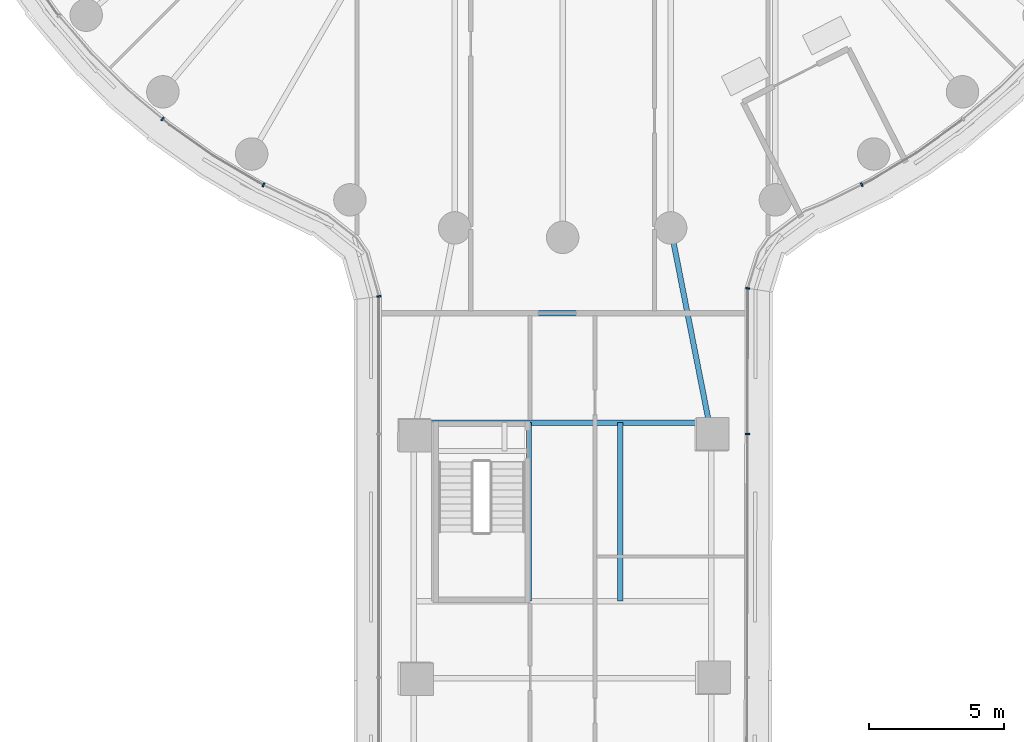
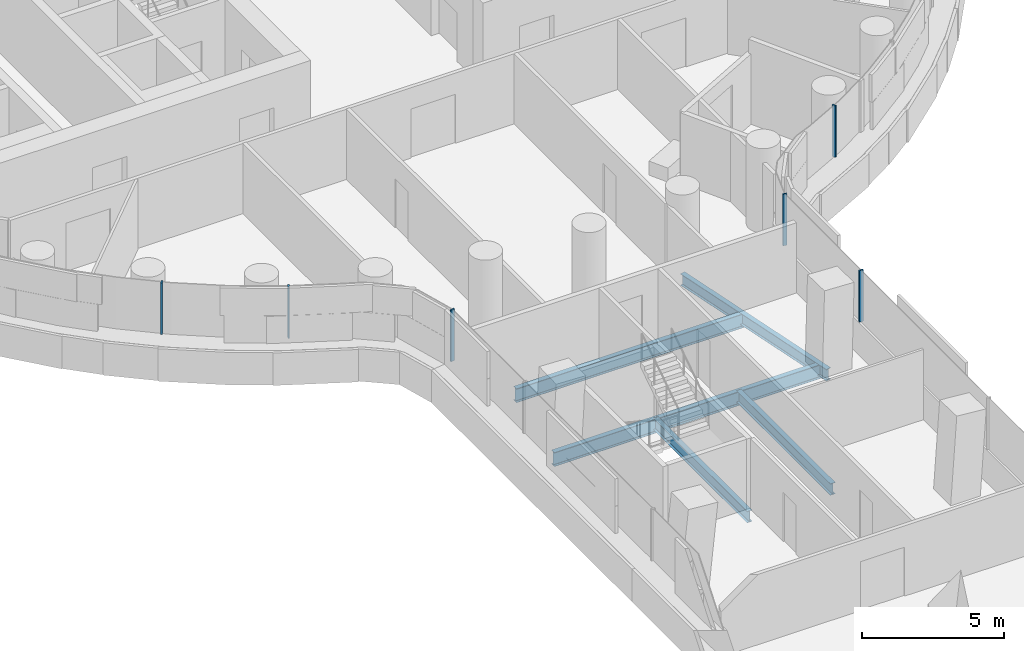
# One storey, part 3 of 32: 6 members, 5 beams, 4 elements without a shape of their own.
"""IFC4 building model written with IfcOpenShell, lengths in metres."""

from ifc_helpers import new_model, si_unit, direction, frame, origin, origin_2d, place, context, subcontext, project, spatial, rectangle, i_section, extrude, material, layer, layer_set, material_profile, profile_set, type_object, element, aggregate, save


model = new_model("IFC4")

# Units and contexts
model_context = context("Model", 3, precision=1e-05, world=origin(), true_north=direction((0.0, 1.0)))
body_context = subcontext(model_context, "Body", "Model", "MODEL_VIEW")
ifc_project = project(units=[si_unit("LENGTHUNIT", "METRE"), si_unit("AREAUNIT", "SQUARE_METRE"), si_unit("VOLUMEUNIT", "CUBIC_METRE"), si_unit("PLANEANGLEUNIT", "RADIAN"), si_unit("MASSUNIT", "GRAM", prefix="KILO")], contexts=[model_context])

# Site, building, storey
site_placement = place(None, origin())
site = spatial("IfcSite", under=ifc_project, at=site_placement, CompositionType="ELEMENT")
building_placement = place(site_placement, origin())
building = spatial("IfcBuilding", under=site, at=building_placement, Name="Tamarind Cross Interchange Tower", CompositionType="ELEMENT")
storey_placement = place(building_placement, frame((0.0, 0.0, 34.0)))
storey = spatial("IfcBuildingStorey", under=building, at=storey_placement, Name="L06", CompositionType="ELEMENT", Elevation=34.0)

# Beams
ifc_material_1 = material(Name="Steel Q355B", Category="steel")
ifc_material_profile_1 = material_profile(ifc_material_1, i_section(OverallWidth=0.198974609375, OverallDepth=0.49609375, WebThickness=0.009033203125, FlangeThickness=0.013916015625, FilletRadius=0.012939453125, at=origin_2d()), Name="HN 496x199x9x14")
ifc_profile_set_1 = profile_set([ifc_material_profile_1], Name="Steel Q355B")
beam_type_1 = type_object("IfcBeamType", Name="Composite beam HN 496x199x9x14 Q355B", PredefinedType="BEAM", material=ifc_profile_set_1)
beam_1_placement = place(storey_placement, frame((5.5, -30.300048828125, -0.387939453125), z_axis=(-0.193182484014, 0.981162844726, 0.0), x_axis=(-0.981162844726, -0.193182484014, 0.0)))
element("IfcBeam", 1, at=beam_1_placement, inside=storey, type_object=beam_type_1, Name="Beam S-linkep", PredefinedType="BEAM", context=body_context, shape_type="SweptSolid", body=[
    extrude(i_section(OverallWidth=0.198974609375, OverallDepth=0.49609375, WebThickness=0.009033203125, FlangeThickness=0.013916015625, FilletRadius=0.012939453125, at=origin_2d()), origin(), (0.0, 0.0, 1.0), 7.79638671875),
])
for number, where, z_axis, x_axis, name in (
    (2, (-1.25, -29.85009765625, -0.387939453125), (0.0, -1.0, 0.0), (1.0, 0.0, 0.0), "Beam S-tr1"),
    (3, (2.125, -29.85009765625, -0.387939453125), (0.0, -1.0, 0.0), (1.0, 0.0, 0.0), "Beam S-stripp"),
):
    element("IfcBeam", number, at=place(storey_placement, frame(where, z_axis=z_axis, x_axis=x_axis)), inside=storey, type_object=beam_type_1, Name=name, PredefinedType="BEAM", context=body_context, shape_type="SweptSolid", body=[
        extrude(i_section(OverallWidth=0.198974609375, OverallDepth=0.49609375, WebThickness=0.009033203125, FlangeThickness=0.013916015625, FilletRadius=0.012939453125, at=origin_2d()), origin(), (0.0, 0.0, 1.0), 6.599853515625),
    ])
ifc_material_profile_2 = material_profile(ifc_material_1, i_section(OverallWidth=0.199951171875, OverallDepth=0.60009765625, WebThickness=0.010986328125, FlangeThickness=0.01708984375, FilletRadius=0.012939453125, at=origin_2d()), Name="HN 600x200x11x17")
ifc_profile_set_2 = profile_set([ifc_material_profile_2], Name="Steel Q355B")
beam_type_2 = type_object("IfcBeamType", Name="Composite beam HN 600x200x11x17 Q355B", PredefinedType="BEAM", material=ifc_profile_set_2)
beam_2_placement = place(storey_placement, frame((-5.411376953125, -29.85009765625, -0.43994140625), z_axis=(1.0, 0.0, 0.0), x_axis=(0.0, 1.0, 0.0)))
element("IfcBeam", 4, at=beam_2_placement, inside=storey, type_object=beam_type_2, Name="Beam S-x298", PredefinedType="BEAM", context=body_context, shape_type="SweptSolid", body=[
    extrude(i_section(OverallWidth=0.199951171875, OverallDepth=0.60009765625, WebThickness=0.010986328125, FlangeThickness=0.01708984375, FilletRadius=0.012939453125, at=origin_2d()), origin(), (0.0, 0.0, 1.0), 10.82275390625),
])
beam_3_placement = place(storey_placement, frame((-4.614013671875, -25.800048828125, -0.43994140625), z_axis=(1.0, 0.0, 0.0), x_axis=(0.0, 1.0, 0.0)))
element("IfcBeam", 5, at=beam_3_placement, inside=storey, type_object=beam_type_2, Name="Beam S-x258", PredefinedType="BEAM", context=body_context, shape_type="SweptSolid", body=[
    extrude(i_section(OverallWidth=0.199951171875, OverallDepth=0.60009765625, WebThickness=0.010986328125, FlangeThickness=0.01708984375, FilletRadius=0.012939453125, at=origin_2d()), origin(), (0.0, 0.0, 1.0), 9.22802734375),
])

# Curtain wall, member
ifc_material_2 = material(Name="Aluminium 6063-T6", Category="aluminium")
ifc_layer_1 = layer(ifc_material_2, 0.159912109375)
ifc_layer_set_1 = layer_set([ifc_layer_1], Name="Aluminium 6063-T6")
curtain_wall_type_1 = type_object("IfcCurtainWallType", Name="Office curtain wall, 9.0 m bays", PredefinedType="NOTDEFINED", material=ifc_layer_set_1)
curtain_wall_1_placement = place(storey_placement, origin())
curtain_wall_1 = element("IfcCurtainWall", 6, at=curtain_wall_1_placement, inside=storey, type_object=curtain_wall_type_1, Name="CWS-L06-04", PredefinedType="NOTDEFINED")
ifc_material_profile_3 = material_profile(ifc_material_2, rectangle(XDim=0.06005859375, YDim=0.159912109375, at=origin_2d()), Name="Mullion CW1")
ifc_profile_set_3 = profile_set([ifc_material_profile_3], Name="Aluminium 6063-T6")
member_type_1 = type_object("IfcMemberType", Name="Mullion CW1", PredefinedType="MULLION", material=ifc_profile_set_3)
member_1_placement = place(storey_placement, frame((-6.800048828125, -25.181396484375, 1.39990234375), z_axis=(0.0, 0.0, 1.0), x_axis=(0.135689119078, -0.990751463771, 0.0)))
member_1 = element("IfcMember", 7, at=member_1_placement, type_object=member_type_1, Name="CWM-L06-04-00", PredefinedType="MULLION", context=body_context, shape_type="SweptSolid", body=[
    extrude(rectangle(XDim=0.06005859375, YDim=0.159912109375, at=origin_2d()), origin(), (0.0, 0.0, 1.0), 2.210205078125),
])
aggregate(curtain_wall_1, [member_1])

curtain_wall_2_placement = place(storey_placement, origin())
curtain_wall_2 = element("IfcCurtainWall", 8, at=curtain_wall_2_placement, inside=storey, type_object=curtain_wall_type_1, Name="CWS-L06-06", PredefinedType="NOTDEFINED")
member_2_placement = place(storey_placement, frame((6.833740234375, -30.270751953125, 1.39990234375), z_axis=(0.0, 0.0, 1.0), x_axis=(0.00196177549, 0.999998075717, 0.0)))
member_2 = element("IfcMember", 9, at=member_2_placement, type_object=member_type_1, Name="CWM-L06-06-02", PredefinedType="MULLION", context=body_context, shape_type="SweptSolid", body=[
    extrude(rectangle(XDim=0.06005859375, YDim=0.159912109375, at=origin_2d()), origin(), (0.0, 0.0, 1.0), 2.210205078125),
])
aggregate(curtain_wall_2, [member_2])

# Curtain wall, members
ifc_layer_2 = layer(ifc_material_2, 0.14990234375)
ifc_layer_set_2 = layer_set([ifc_layer_2], Name="Aluminium 6063-T6")
curtain_wall_type_2 = type_object("IfcCurtainWallType", Name="Winter garden and crown curtain wall", PredefinedType="NOTDEFINED", material=ifc_layer_set_2)
curtain_wall_3_placement = place(storey_placement, origin())
curtain_wall_3 = element("IfcCurtainWall", 10, at=curtain_wall_3_placement, inside=storey, type_object=curtain_wall_type_2, Name="CWS-L06-03", PredefinedType="NOTDEFINED")
ifc_material_profile_4 = material_profile(ifc_material_2, rectangle(XDim=0.06005859375, YDim=0.14990234375, at=origin_2d()), Name="Mullion CW6")
ifc_profile_set_4 = profile_set([ifc_material_profile_4], Name="Aluminium 6063-T6")
member_type_2 = type_object("IfcMemberType", Name="Mullion CW6", PredefinedType="MULLION", material=ifc_profile_set_4)
member_3_placement = place(storey_placement, frame((-14.797607421875, -18.6201171875, 1.39990234375), z_axis=(0.0, 0.0, 1.0), x_axis=(0.765858396687, -0.643009266048, 0.0)))
member_3 = element("IfcMember", 11, at=member_3_placement, type_object=member_type_2, Name="CWM-L06-03-03", PredefinedType="MULLION", context=body_context, shape_type="SweptSolid", body=[
    extrude(rectangle(XDim=0.06005859375, YDim=0.14990234375, at=origin_2d()), origin(), (0.0, 0.0, 1.0), 2.210205078125),
])
member_4_placement = place(storey_placement, frame((-11.06396484375, -21.059326171875, 1.39990234375), z_axis=(0.0, 0.0, 1.0), x_axis=(0.900272776334, -0.435326231914, 0.0)))
member_4 = element("IfcMember", 12, at=member_4_placement, type_object=member_type_2, Name="CWM-L06-03-04", PredefinedType="MULLION", context=body_context, shape_type="SweptSolid", body=[
    extrude(rectangle(XDim=0.06005859375, YDim=0.14990234375, at=origin_2d()), origin(), (0.0, 0.0, 1.0), 2.210205078125),
])
aggregate(curtain_wall_3, [member_3, member_4])

curtain_wall_4_placement = place(storey_placement, origin())
curtain_wall_4 = element("IfcCurtainWall", 13, at=curtain_wall_4_placement, inside=storey, type_object=curtain_wall_type_2, Name="CWS-L06-07", PredefinedType="NOTDEFINED")
member_5_placement = place(storey_placement, frame((6.844482421875, -24.884765625, 1.39990234375), z_axis=(0.0, 0.0, 1.0), x_axis=(0.150255390212, 0.988647216004, 0.0)))
member_5 = element("IfcMember", 14, at=member_5_placement, type_object=member_type_2, Name="CWM-L06-07-00", PredefinedType="MULLION", context=body_context, shape_type="SweptSolid", body=[
    extrude(rectangle(XDim=0.06005859375, YDim=0.14990234375, at=origin_2d()), origin(), (0.0, 0.0, 1.0), 2.210205078125),
])
member_6_placement = place(storey_placement, frame((11.0615234375, -21.0537109375, 1.39990234375), z_axis=(0.0, 0.0, 1.0), x_axis=(0.896492548518, 0.443058811505, 0.0)))
member_6 = element("IfcMember", 15, at=member_6_placement, type_object=member_type_2, Name="CWM-L06-07-01", PredefinedType="MULLION", context=body_context, shape_type="SweptSolid", body=[
    extrude(rectangle(XDim=0.06005859375, YDim=0.14990234375, at=origin_2d()), origin(), (0.0, 0.0, 1.0), 2.210205078125),
])
aggregate(curtain_wall_4, [member_5, member_6])

save(model, "model.ifc")
